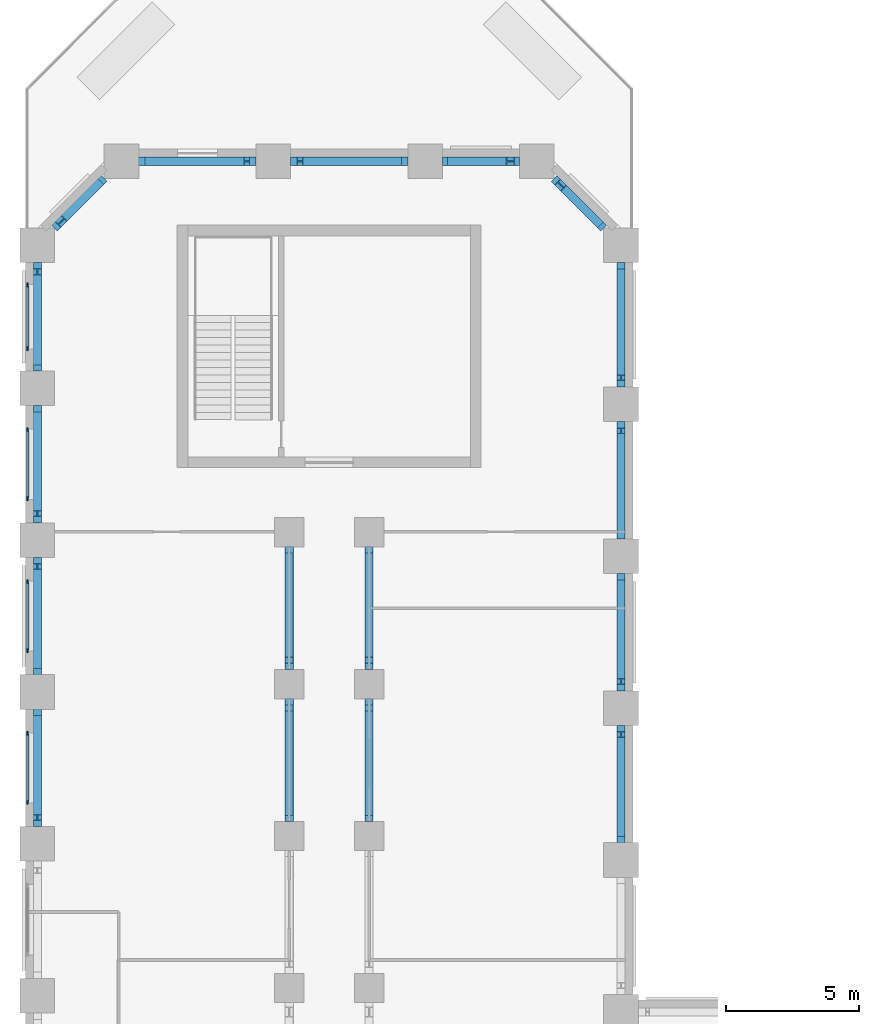
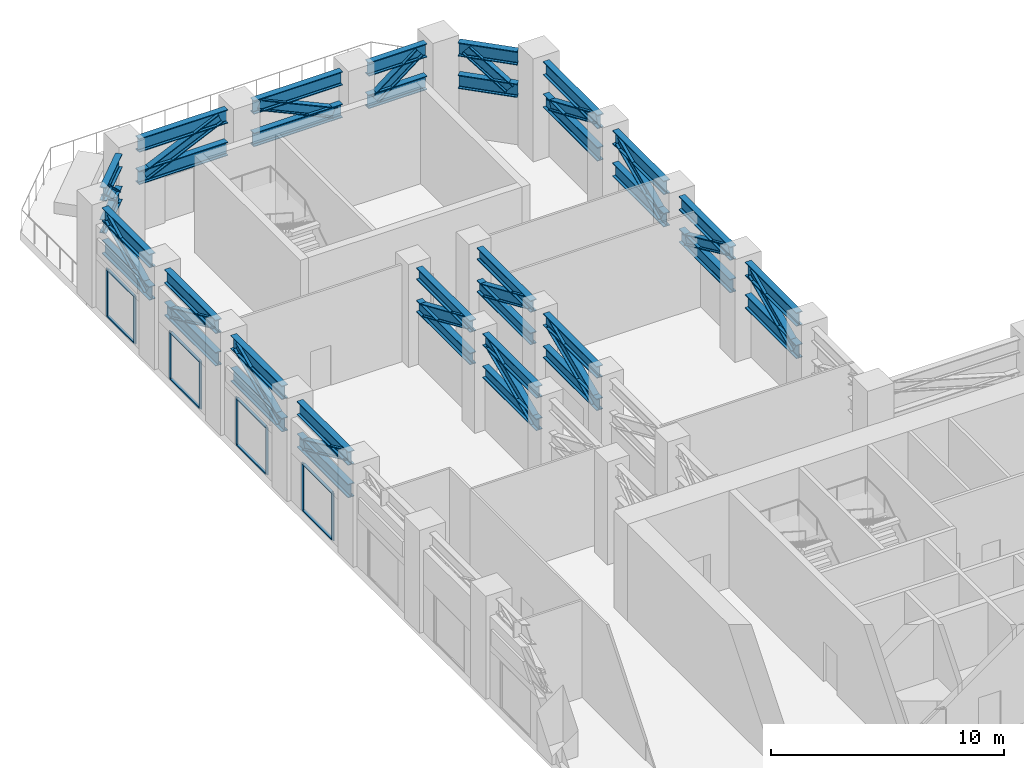
# One storey, part 9 of 21: 34 beams, 33 members, 4 elements without a shape of their own.
"""IFC4 building model written with IfcOpenShell, lengths in metres."""

from ifc_helpers import new_model, si_unit, direction, frame, origin, origin_2d, place, context, subcontext, project, spatial, rectangle, i_section, extrude, material, material_profile, profile_set, type_object, element, aggregate, save


model = new_model("IFC4")

# Units and contexts
model_context = context("Model", 3, precision=1e-05, world=origin(), true_north=direction((0.0, 1.0)))
body_context = subcontext(model_context, "Body", "Model", "MODEL_VIEW")
ifc_project = project(units=[si_unit("LENGTHUNIT", "METRE"), si_unit("AREAUNIT", "SQUARE_METRE"), si_unit("VOLUMEUNIT", "CUBIC_METRE"), si_unit("PLANEANGLEUNIT", "RADIAN"), si_unit("MASSUNIT", "GRAM", prefix="KILO")], contexts=[model_context])

# Site, building, storey
site_placement = place(None, origin())
site = spatial("IfcSite", under=ifc_project, at=site_placement, CompositionType="ELEMENT")
building_placement = place(site_placement, origin())
building = spatial("IfcBuilding", under=site, at=building_placement, Name="Meshkara Civic Tower", CompositionType="ELEMENT")
storey_placement = place(building_placement, frame((0.0, 0.0, 156.0)))
storey = spatial("IfcBuildingStorey", under=building, at=storey_placement, Name="L35", CompositionType="ELEMENT", Elevation=156.0)

# Beams
ifc_material_1 = material(Name="Steel S355", Category="steel")
ifc_material_profile_1 = material_profile(ifc_material_1, i_section(OverallWidth=0.303955078125, OverallDepth=0.716064453125, WebThickness=0.02099609375, FlangeThickness=0.0400390625, FilletRadius=0.027099609375, at=origin_2d()))
ifc_profile_set_1 = profile_set([ifc_material_profile_1], Name="Steel S355")
beam_type_1 = type_object("IfcBeamType", Name="Belt truss chord HEM 700 S355", PredefinedType="BEAM", material=ifc_profile_set_1)
for number, where, z_axis, x_axis, name in (
    (1, (22.35009765625, 45.794921875, 4.741943359375), (0.0, 1.0, 0.0), (-1.0, 0.0, 0.0), "Belt truss chord BAE01-AE02"),
    (2, (22.35009765625, 45.794921875, 3.0419921875), (0.0, 1.0, 0.0), (-1.0, 0.0, 0.0), "Belt truss chord BAE01-AE02"),
):
    element("IfcBeam", number, at=place(storey_placement, frame(where, z_axis=z_axis, x_axis=x_axis)), inside=storey, type_object=beam_type_1, Name=name, PredefinedType="BEAM", context=body_context, shape_type="SweptSolid", body=[
        extrude(i_section(OverallWidth=0.303955078125, OverallDepth=0.716064453125, WebThickness=0.02099609375, FlangeThickness=0.0400390625, FilletRadius=0.027099609375, at=origin_2d()), origin(), (0.0, 0.0, 1.0), 4.41015625),
    ])
for number, where, z_axis, x_axis, name in (
    (3, (22.35009765625, 51.4951171875, 4.741943359375), (0.0, 1.0, 0.0), (-1.0, 0.0, 0.0), "Belt truss chord BAE02-AE03"),
    (4, (22.35009765625, 51.4951171875, 3.0419921875), (0.0, 1.0, 0.0), (-1.0, 0.0, 0.0), "Belt truss chord BAE02-AE03"),
    (5, (22.35009765625, 57.195068359375, 4.741943359375), (0.0, 1.0, 0.0), (-1.0, 0.0, 0.0), "Belt truss chord BAE03-AE04"),
    (6, (22.35009765625, 57.195068359375, 3.0419921875), (0.0, 1.0, 0.0), (-1.0, 0.0, 0.0), "Belt truss chord BAE03-AE04"),
):
    element("IfcBeam", number, at=place(storey_placement, frame(where, z_axis=z_axis, x_axis=x_axis)), inside=storey, type_object=beam_type_1, Name=name, PredefinedType="BEAM", context=body_context, shape_type="SweptSolid", body=[
        extrude(i_section(OverallWidth=0.303955078125, OverallDepth=0.716064453125, WebThickness=0.02099609375, FlangeThickness=0.0400390625, FilletRadius=0.027099609375, at=origin_2d()), origin(), (0.0, 0.0, 1.0), 4.409912109375),
    ])
for number, where, z_axis, x_axis, name in (
    (7, (22.35009765625, 62.89501953125, 4.741943359375), (0.0, 1.0, 0.0), (-1.0, 0.0, 0.0), "Belt truss chord BAE04-AEEP2"),
    (8, (22.35009765625, 62.89501953125, 3.0419921875), (0.0, 1.0, 0.0), (-1.0, 0.0, 0.0), "Belt truss chord BAE04-AEEP2"),
):
    element("IfcBeam", number, at=place(storey_placement, frame(where, z_axis=z_axis, x_axis=x_axis)), inside=storey, type_object=beam_type_1, Name=name, PredefinedType="BEAM", context=body_context, shape_type="SweptSolid", body=[
        extrude(i_section(OverallWidth=0.303955078125, OverallDepth=0.716064453125, WebThickness=0.02099609375, FlangeThickness=0.0400390625, FilletRadius=0.027099609375, at=origin_2d()), origin(), (0.0, 0.0, 1.0), 4.674072265625),
    ])
for number, where, z_axis, x_axis, name in (
    (9, (21.70361328125, 68.860595703125, 4.741943359375), (-0.707153113905, 0.707060445432, 0.0), (-0.707060445432, -0.707153113905, 0.0), "Belt truss chord BAEEP2-ATiEP2"),
    (10, (21.70361328125, 68.860595703125, 3.0419921875), (-0.707153113905, 0.707060445432, 0.0), (-0.707060445432, -0.707153113905, 0.0), "Belt truss chord BAEEP2-ATiEP2"),
):
    element("IfcBeam", number, at=place(storey_placement, frame(where, z_axis=z_axis, x_axis=x_axis)), inside=storey, type_object=beam_type_1, Name=name, PredefinedType="BEAM", context=body_context, shape_type="SweptSolid", body=[
        extrude(i_section(OverallWidth=0.303955078125, OverallDepth=0.716064453125, WebThickness=0.02099609375, FlangeThickness=0.0400390625, FilletRadius=0.027099609375, at=origin_2d()), origin(), (0.0, 0.0, 1.0), 2.634521484375),
    ])
for number, where, z_axis, x_axis, name in (
    (11, (18.549072265625, 71.3701171875, 4.741943359375), (-1.0, 0.0, 0.0), (0.0, -1.0, 0.0), "Belt truss chord BATiEP2-AT02-P2"),
    (12, (18.549072265625, 71.3701171875, 3.0419921875), (-1.0, 0.0, 0.0), (0.0, -1.0, 0.0), "Belt truss chord BATiEP2-AT02-P2"),
):
    element("IfcBeam", number, at=place(storey_placement, frame(where, z_axis=z_axis, x_axis=x_axis)), inside=storey, type_object=beam_type_1, Name=name, PredefinedType="BEAM", context=body_context, shape_type="SweptSolid", body=[
        extrude(i_section(OverallWidth=0.303955078125, OverallDepth=0.716064453125, WebThickness=0.02099609375, FlangeThickness=0.0400390625, FilletRadius=0.027099609375, at=origin_2d()), origin(), (0.0, 0.0, 1.0), 2.898193359375),
    ])
for number, where, z_axis, x_axis, name in (
    (13, (14.361083984375, 71.3701171875, 4.741943359375), (-1.0, 0.0, 0.0), (0.0, -1.0, 0.0), "Belt truss chord BAT02-P2-AT01-P2"),
    (14, (14.361083984375, 71.3701171875, 3.0419921875), (-1.0, 0.0, 0.0), (0.0, -1.0, 0.0), "Belt truss chord BAT02-P2-AT01-P2"),
):
    element("IfcBeam", number, at=place(storey_placement, frame(where, z_axis=z_axis, x_axis=x_axis)), inside=storey, type_object=beam_type_1, Name=name, PredefinedType="BEAM", context=body_context, shape_type="SweptSolid", body=[
        extrude(i_section(OverallWidth=0.303955078125, OverallDepth=0.716064453125, WebThickness=0.02099609375, FlangeThickness=0.0400390625, FilletRadius=0.027099609375, at=origin_2d()), origin(), (0.0, 0.0, 1.0), 4.41015625),
    ])
for number, where, z_axis, x_axis, name in (
    (15, (8.660888671875, 71.3701171875, 4.741943359375), (-1.0, 0.0, 0.0), (0.0, -1.0, 0.0), "Belt truss chord BAT01-P2-AT00-P2"),
    (16, (8.660888671875, 71.3701171875, 3.0419921875), (-1.0, 0.0, 0.0), (0.0, -1.0, 0.0), "Belt truss chord BAT01-P2-AT00-P2"),
):
    element("IfcBeam", number, at=place(storey_placement, frame(where, z_axis=z_axis, x_axis=x_axis)), inside=storey, type_object=beam_type_1, Name=name, PredefinedType="BEAM", context=body_context, shape_type="SweptSolid", body=[
        extrude(i_section(OverallWidth=0.303955078125, OverallDepth=0.716064453125, WebThickness=0.02099609375, FlangeThickness=0.0400390625, FilletRadius=0.027099609375, at=origin_2d()), origin(), (0.0, 0.0, 1.0), 4.409912109375),
    ])
for number, where, z_axis, x_axis, name in (
    (17, (2.95947265625, 70.723388671875, 4.741943359375), (-0.707153113905, -0.707060445432, 0.0), (0.707060445432, -0.707153113905, 0.0), "Belt truss chord BAT00-P2-ATo00-P2"),
    (18, (2.95947265625, 70.723388671875, 3.0419921875), (-0.707153113905, -0.707060445432, 0.0), (0.707060445432, -0.707153113905, 0.0), "Belt truss chord BAT00-P2-ATo00-P2"),
):
    element("IfcBeam", number, at=place(storey_placement, frame(where, z_axis=z_axis, x_axis=x_axis)), inside=storey, type_object=beam_type_1, Name=name, PredefinedType="BEAM", context=body_context, shape_type="SweptSolid", body=[
        extrude(i_section(OverallWidth=0.303955078125, OverallDepth=0.716064453125, WebThickness=0.02099609375, FlangeThickness=0.0400390625, FilletRadius=0.027099609375, at=origin_2d()), origin(), (0.0, 0.0, 1.0), 2.634521484375),
    ])
for number, where, z_axis, x_axis, name in (
    (19, (0.449951171875, 67.569091796875, 4.741943359375), (0.0, -1.0, 0.0), (1.0, 0.0, 0.0), "Belt truss chord BATo00-P2-AW08"),
    (20, (0.449951171875, 67.569091796875, 3.0419921875), (0.0, -1.0, 0.0), (1.0, 0.0, 0.0), "Belt truss chord BATo00-P2-AW08"),
):
    element("IfcBeam", number, at=place(storey_placement, frame(where, z_axis=z_axis, x_axis=x_axis)), inside=storey, type_object=beam_type_1, Name=name, PredefinedType="BEAM", context=body_context, shape_type="SweptSolid", body=[
        extrude(i_section(OverallWidth=0.303955078125, OverallDepth=0.716064453125, WebThickness=0.02099609375, FlangeThickness=0.0400390625, FilletRadius=0.027099609375, at=origin_2d()), origin(), (0.0, 0.0, 1.0), 4.069091796875),
    ])
for number, where, z_axis, x_axis, name in (
    (21, (0.449951171875, 62.2099609375, 4.741943359375), (0.0, -1.0, 0.0), (1.0, 0.0, 0.0), "Belt truss chord BAW08-AW07"),
    (22, (0.449951171875, 62.2099609375, 3.0419921875), (0.0, -1.0, 0.0), (1.0, 0.0, 0.0), "Belt truss chord BAW08-AW07"),
    (23, (0.449951171875, 56.510009765625, 4.741943359375), (0.0, -1.0, 0.0), (1.0, 0.0, 0.0), "Belt truss chord BAW07-AW06"),
    (24, (0.449951171875, 56.510009765625, 3.0419921875), (0.0, -1.0, 0.0), (1.0, 0.0, 0.0), "Belt truss chord BAW07-AW06"),
):
    element("IfcBeam", number, at=place(storey_placement, frame(where, z_axis=z_axis, x_axis=x_axis)), inside=storey, type_object=beam_type_1, Name=name, PredefinedType="BEAM", context=body_context, shape_type="SweptSolid", body=[
        extrude(i_section(OverallWidth=0.303955078125, OverallDepth=0.716064453125, WebThickness=0.02099609375, FlangeThickness=0.0400390625, FilletRadius=0.027099609375, at=origin_2d()), origin(), (0.0, 0.0, 1.0), 4.409912109375),
    ])
for number, where, z_axis, x_axis, name in (
    (25, (0.449951171875, 50.81005859375, 4.741943359375), (0.0, -1.0, 0.0), (1.0, 0.0, 0.0), "Belt truss chord BAW06-AW05"),
    (26, (0.449951171875, 50.81005859375, 3.0419921875), (0.0, -1.0, 0.0), (1.0, 0.0, 0.0), "Belt truss chord BAW06-AW05"),
):
    element("IfcBeam", number, at=place(storey_placement, frame(where, z_axis=z_axis, x_axis=x_axis)), inside=storey, type_object=beam_type_1, Name=name, PredefinedType="BEAM", context=body_context, shape_type="SweptSolid", body=[
        extrude(i_section(OverallWidth=0.303955078125, OverallDepth=0.716064453125, WebThickness=0.02099609375, FlangeThickness=0.0400390625, FilletRadius=0.027099609375, at=origin_2d()), origin(), (0.0, 0.0, 1.0), 4.41015625),
    ])

# Curtain wall, members
ifc_material_2 = material(Name="Tinted double glazing", Category="glass")
curtain_wall_type = type_object("IfcCurtainWallType", Name="CW SKY LOBBY BAND", PredefinedType="NOTDEFINED", material=ifc_material_2)
curtain_wall_1_placement = place(storey_placement, origin())
curtain_wall_1 = element("IfcCurtainWall", 27, at=curtain_wall_1_placement, inside=storey, type_object=curtain_wall_type, Name="Curtain wall CW2", PredefinedType="NOTDEFINED")
ifc_material_3 = material(Name="Bronze anodised aluminium", Category="aluminium")
ifc_material_profile_2 = material_profile(ifc_material_3, rectangle(XDim=0.06005859375, YDim=0.159912109375, at=origin_2d()))
ifc_profile_set_2 = profile_set([ifc_material_profile_2], Name="Bronze anodised aluminium")
member_type_1 = type_object("IfcMemberType", Name="CW MULLION 60x160", PredefinedType="MULLION", material=ifc_profile_set_2)
member_1_placement = place(storey_placement, frame((0.080078125, 66.721923828125, 0.0), z_axis=(0.0, 0.0, 1.0), x_axis=(1.0, 0.0, 0.0)))
member_1 = element("IfcMember", 28, at=member_1_placement, type_object=member_type_1, Name="CW2 mullion 1", PredefinedType="MULLION", context=body_context, shape_type="SweptSolid", body=[
    extrude(rectangle(XDim=0.06005859375, YDim=0.159912109375, at=origin_2d()), origin(), (0.0, 0.0, 1.0), 2.5),
])
member_2_placement = place(storey_placement, frame((0.080078125, 64.346923828125, 0.0), z_axis=(0.0, 0.0, 1.0), x_axis=(1.0, 0.0, 0.0)))
member_2 = element("IfcMember", 29, at=member_2_placement, type_object=member_type_1, Name="CW2 mullion 2", PredefinedType="MULLION", context=body_context, shape_type="SweptSolid", body=[
    extrude(rectangle(XDim=0.06005859375, YDim=0.159912109375, at=origin_2d()), origin(), (0.0, 0.0, 1.0), 2.5),
])

curtain_wall_2_placement = place(storey_placement, origin())
curtain_wall_2 = element("IfcCurtainWall", 30, at=curtain_wall_2_placement, inside=storey, type_object=curtain_wall_type, Name="Curtain wall CW2", PredefinedType="NOTDEFINED")
member_3_placement = place(storey_placement, frame((0.080078125, 61.294921875, 0.0), z_axis=(0.0, 0.0, 1.0), x_axis=(1.0, 0.0, 0.0)))
member_3 = element("IfcMember", 31, at=member_3_placement, type_object=member_type_1, Name="CW2 mullion 1", PredefinedType="MULLION", context=body_context, shape_type="SweptSolid", body=[
    extrude(rectangle(XDim=0.06005859375, YDim=0.159912109375, at=origin_2d()), origin(), (0.0, 0.0, 1.0), 2.5),
])
member_4_placement = place(storey_placement, frame((0.080078125, 58.715087890625, 0.0), z_axis=(0.0, 0.0, 1.0), x_axis=(1.0, 0.0, 0.0)))
member_4 = element("IfcMember", 32, at=member_4_placement, type_object=member_type_1, Name="CW2 mullion 2", PredefinedType="MULLION", context=body_context, shape_type="SweptSolid", body=[
    extrude(rectangle(XDim=0.06005859375, YDim=0.159912109375, at=origin_2d()), origin(), (0.0, 0.0, 1.0), 2.5),
])

curtain_wall_3_placement = place(storey_placement, origin())
curtain_wall_3 = element("IfcCurtainWall", 33, at=curtain_wall_3_placement, inside=storey, type_object=curtain_wall_type, Name="Curtain wall CW2", PredefinedType="NOTDEFINED")
member_5_placement = place(storey_placement, frame((0.080078125, 55.593994140625, 0.0), z_axis=(0.0, 0.0, 1.0), x_axis=(1.0, 0.0, 0.0)))
member_5 = element("IfcMember", 34, at=member_5_placement, type_object=member_type_1, Name="CW2 mullion 1", PredefinedType="MULLION", context=body_context, shape_type="SweptSolid", body=[
    extrude(rectangle(XDim=0.06005859375, YDim=0.159912109375, at=origin_2d()), origin(), (0.0, 0.0, 1.0), 2.5),
])
member_6_placement = place(storey_placement, frame((0.080078125, 53.014892578125, 0.0), z_axis=(0.0, 0.0, 1.0), x_axis=(1.0, 0.0, 0.0)))
member_6 = element("IfcMember", 35, at=member_6_placement, type_object=member_type_1, Name="CW2 mullion 2", PredefinedType="MULLION", context=body_context, shape_type="SweptSolid", body=[
    extrude(rectangle(XDim=0.06005859375, YDim=0.159912109375, at=origin_2d()), origin(), (0.0, 0.0, 1.0), 2.5),
])

curtain_wall_4_placement = place(storey_placement, origin())
curtain_wall_4 = element("IfcCurtainWall", 36, at=curtain_wall_4_placement, inside=storey, type_object=curtain_wall_type, Name="Curtain wall CW2", PredefinedType="NOTDEFINED")
member_7_placement = place(storey_placement, frame((0.080078125, 49.89501953125, 0.0), z_axis=(0.0, 0.0, 1.0), x_axis=(1.0, 0.0, 0.0)))
member_7 = element("IfcMember", 37, at=member_7_placement, type_object=member_type_1, Name="CW2 mullion 1", PredefinedType="MULLION", context=body_context, shape_type="SweptSolid", body=[
    extrude(rectangle(XDim=0.06005859375, YDim=0.159912109375, at=origin_2d()), origin(), (0.0, 0.0, 1.0), 2.5),
])
member_8_placement = place(storey_placement, frame((0.080078125, 47.31494140625, 0.0), z_axis=(0.0, 0.0, 1.0), x_axis=(1.0, 0.0, 0.0)))
member_8 = element("IfcMember", 38, at=member_8_placement, type_object=member_type_1, Name="CW2 mullion 2", PredefinedType="MULLION", context=body_context, shape_type="SweptSolid", body=[
    extrude(rectangle(XDim=0.06005859375, YDim=0.159912109375, at=origin_2d()), origin(), (0.0, 0.0, 1.0), 2.5),
])

# Member
ifc_material_4 = material(Name="Bronze anodised aluminium", Category="aluminium")
ifc_material_profile_3 = material_profile(ifc_material_4, rectangle(XDim=0.1201171875, YDim=0.06005859375, at=origin_2d()))
ifc_profile_set_3 = profile_set([ifc_material_profile_3], Name="Bronze anodised aluminium")
member_type_2 = type_object("IfcMemberType", Name="CW TRANSOM 60x120", PredefinedType="USERDEFINED", material=ifc_profile_set_3)
member_9_placement = place(storey_placement, frame((0.080078125, 66.69189453125, 0.030029296875), z_axis=(0.0, -1.0, 0.0), x_axis=(1.0, 0.0, 0.0)))
member_9 = element("IfcMember", 39, at=member_9_placement, type_object=member_type_2, Name="CW2 transom 1.1", ObjectType="TRANSOM", PredefinedType="USERDEFINED", context=body_context, shape_type="SweptSolid", body=[
    extrude(rectangle(XDim=0.1201171875, YDim=0.06005859375, at=origin_2d()), origin(), (0.0, 0.0, 1.0), 2.31494140625),
])

member_10_placement = place(storey_placement, frame((0.080078125, 66.69189453125, 2.469970703125), z_axis=(0.0, -1.0, 0.0), x_axis=(1.0, 0.0, 0.0)))
member_10 = element("IfcMember", 40, at=member_10_placement, type_object=member_type_2, Name="CW2 transom 1.2", ObjectType="TRANSOM", PredefinedType="USERDEFINED", context=body_context, shape_type="SweptSolid", body=[
    extrude(rectangle(XDim=0.1201171875, YDim=0.06005859375, at=origin_2d()), origin(), (0.0, 0.0, 1.0), 2.31494140625),
])

aggregate(curtain_wall_1, [member_1, member_2, member_9, member_10])

member_11_placement = place(storey_placement, frame((0.080078125, 61.264892578125, 0.030029296875), z_axis=(0.0, -1.0, 0.0), x_axis=(1.0, 0.0, 0.0)))
member_11 = element("IfcMember", 41, at=member_11_placement, type_object=member_type_2, Name="CW2 transom 1.1", ObjectType="TRANSOM", PredefinedType="USERDEFINED", context=body_context, shape_type="SweptSolid", body=[
    extrude(rectangle(XDim=0.1201171875, YDim=0.06005859375, at=origin_2d()), origin(), (0.0, 0.0, 1.0), 2.519775390625),
])

member_12_placement = place(storey_placement, frame((0.080078125, 61.264892578125, 2.469970703125), z_axis=(0.0, -1.0, 0.0), x_axis=(1.0, 0.0, 0.0)))
member_12 = element("IfcMember", 42, at=member_12_placement, type_object=member_type_2, Name="CW2 transom 1.2", ObjectType="TRANSOM", PredefinedType="USERDEFINED", context=body_context, shape_type="SweptSolid", body=[
    extrude(rectangle(XDim=0.1201171875, YDim=0.06005859375, at=origin_2d()), origin(), (0.0, 0.0, 1.0), 2.519775390625),
])

aggregate(curtain_wall_2, [member_3, member_4, member_11, member_12])

member_13_placement = place(storey_placement, frame((0.080078125, 55.56396484375, 0.030029296875), z_axis=(0.0, -1.0, 0.0), x_axis=(1.0, 0.0, 0.0)))
member_13 = element("IfcMember", 43, at=member_13_placement, type_object=member_type_2, Name="CW2 transom 1.1", ObjectType="TRANSOM", PredefinedType="USERDEFINED", context=body_context, shape_type="SweptSolid", body=[
    extrude(rectangle(XDim=0.1201171875, YDim=0.06005859375, at=origin_2d()), origin(), (0.0, 0.0, 1.0), 2.51904296875),
])

member_14_placement = place(storey_placement, frame((0.080078125, 55.56396484375, 2.469970703125), z_axis=(0.0, -1.0, 0.0), x_axis=(1.0, 0.0, 0.0)))
member_14 = element("IfcMember", 44, at=member_14_placement, type_object=member_type_2, Name="CW2 transom 1.2", ObjectType="TRANSOM", PredefinedType="USERDEFINED", context=body_context, shape_type="SweptSolid", body=[
    extrude(rectangle(XDim=0.1201171875, YDim=0.06005859375, at=origin_2d()), origin(), (0.0, 0.0, 1.0), 2.51904296875),
])

aggregate(curtain_wall_3, [member_5, member_6, member_13, member_14])

member_15_placement = place(storey_placement, frame((0.080078125, 49.864990234375, 0.030029296875), z_axis=(0.0, -1.0, 0.0), x_axis=(1.0, 0.0, 0.0)))
member_15 = element("IfcMember", 45, at=member_15_placement, type_object=member_type_2, Name="CW2 transom 1.1", ObjectType="TRANSOM", PredefinedType="USERDEFINED", context=body_context, shape_type="SweptSolid", body=[
    extrude(rectangle(XDim=0.1201171875, YDim=0.06005859375, at=origin_2d()), origin(), (0.0, 0.0, 1.0), 2.52001953125),
])

member_16_placement = place(storey_placement, frame((0.080078125, 49.864990234375, 2.469970703125), z_axis=(0.0, -1.0, 0.0), x_axis=(1.0, 0.0, 0.0)))
member_16 = element("IfcMember", 46, at=member_16_placement, type_object=member_type_2, Name="CW2 transom 1.2", ObjectType="TRANSOM", PredefinedType="USERDEFINED", context=body_context, shape_type="SweptSolid", body=[
    extrude(rectangle(XDim=0.1201171875, YDim=0.06005859375, at=origin_2d()), origin(), (0.0, 0.0, 1.0), 2.52001953125),
])

aggregate(curtain_wall_4, [member_7, member_8, member_15, member_16])

# Beams
ifc_material_5 = material(Name="Steel S355", Category="steel")
ifc_material_profile_4 = material_profile(ifc_material_5, i_section(OverallWidth=0.304931640625, OverallDepth=0.6201171875, WebThickness=0.02099609375, FlangeThickness=0.0400390625, FilletRadius=0.027099609375, at=origin_2d()))
ifc_profile_set_4 = profile_set([ifc_material_profile_4], Name="Steel S355")
beam_type_2 = type_object("IfcBeamType", Name="Outrigger chord HEM 600 S355", PredefinedType="BEAM", material=ifc_profile_set_4)
for number, where, z_axis, x_axis, name in (
    (47, (9.89990234375, 46.594970703125, 4.7900390625), (0.0, 1.0, 0.0), (-1.0, 0.0, 0.0), "Outrigger chord OSA1-SA1-05-SA1-06"),
    (48, (9.89990234375, 46.594970703125, 3.090087890625), (0.0, 1.0, 0.0), (-1.0, 0.0, 0.0), "Outrigger chord OSA1-SA1-05-SA1-06"),
    (49, (9.89990234375, 52.294921875, 4.7900390625), (0.0, 1.0, 0.0), (-1.0, 0.0, 0.0), "Outrigger chord OSA1-SA1-06-SA1-07"),
    (50, (9.89990234375, 52.294921875, 3.090087890625), (0.0, 1.0, 0.0), (-1.0, 0.0, 0.0), "Outrigger chord OSA1-SA1-06-SA1-07"),
    (51, (12.89990234375, 46.594970703125, 4.7900390625), (0.0, 1.0, 0.0), (-1.0, 0.0, 0.0), "Outrigger chord OSA2-SA2-05-SA2-06"),
    (52, (12.89990234375, 46.594970703125, 3.090087890625), (0.0, 1.0, 0.0), (-1.0, 0.0, 0.0), "Outrigger chord OSA2-SA2-05-SA2-06"),
    (53, (12.89990234375, 52.294921875, 4.7900390625), (0.0, 1.0, 0.0), (-1.0, 0.0, 0.0), "Outrigger chord OSA2-SA2-06-SA2-07"),
    (54, (12.89990234375, 52.294921875, 3.090087890625), (0.0, 1.0, 0.0), (-1.0, 0.0, 0.0), "Outrigger chord OSA2-SA2-06-SA2-07"),
):
    element("IfcBeam", number, at=place(storey_placement, frame(where, z_axis=z_axis, x_axis=x_axis)), inside=storey, type_object=beam_type_2, Name=name, PredefinedType="BEAM", context=body_context, shape_type="SweptSolid", body=[
        extrude(i_section(OverallWidth=0.304931640625, OverallDepth=0.6201171875, WebThickness=0.02099609375, FlangeThickness=0.0400390625, FilletRadius=0.027099609375, at=origin_2d()), origin(), (0.0, 0.0, 1.0), 4.610107421875),
    ])

# Members
ifc_material_6 = material(Name="Steel S355", Category="steel")
ifc_material_profile_5 = material_profile(ifc_material_6, i_section(OverallWidth=0.300048828125, OverallDepth=0.60009765625, WebThickness=0.015380859375, FlangeThickness=0.030029296875, FilletRadius=0.027099609375, at=origin_2d()))
ifc_profile_set_5 = profile_set([ifc_material_profile_5], Name="Steel S355")
member_type_3 = type_object("IfcMemberType", Name="Truss diagonal HEB 600 S355", PredefinedType="BRACE", material=ifc_profile_set_5)
for number, where, z_axis, x_axis, name in (
    (55, (9.89990234375, 46.945068359375, 3.090087890625), (0.0, 0.917070966636, 0.398724017527), (-1.0, 0.0, 0.0), "TD-OSA1-SA1-05-SA1-06-L35"),
    (56, (9.89990234375, 52.64501953125, 4.7900390625), (0.0, 0.917070966636, -0.398724017527), (-1.0, 0.0, 0.0), "TD-OSA1-SA1-06-SA1-07-L35"),
    (57, (12.89990234375, 46.945068359375, 3.090087890625), (0.0, 0.917070966636, 0.398724017527), (-1.0, 0.0, 0.0), "TD-OSA2-SA2-05-SA2-06-L35"),
    (58, (12.89990234375, 52.64501953125, 4.7900390625), (0.0, 0.917070966636, -0.398724017527), (-1.0, 0.0, 0.0), "TD-OSA2-SA2-06-SA2-07-L35"),
):
    element("IfcMember", number, at=place(storey_placement, frame(where, z_axis=z_axis, x_axis=x_axis)), inside=storey, type_object=member_type_3, Name=name, PredefinedType="BRACE", context=body_context, shape_type="SweptSolid", body=[
        extrude(i_section(OverallWidth=0.300048828125, OverallDepth=0.60009765625, WebThickness=0.015380859375, FlangeThickness=0.030029296875, FilletRadius=0.027099609375, at=origin_2d()), origin(), (0.0, 0.0, 1.0), 4.263427734375),
    ])
ifc_material_7 = material(Name="Steel S355", Category="steel")
ifc_material_profile_6 = material_profile(ifc_material_7, i_section(OverallWidth=0.305908203125, OverallDepth=0.52392578125, WebThickness=0.02392578125, FlangeThickness=0.0400390625, FilletRadius=0.027099609375, at=origin_2d()))
ifc_profile_set_6 = profile_set([ifc_material_profile_6], Name="Steel S355")
member_type_4 = type_object("IfcMemberType", Name="Truss diagonal HEM 500 S355", PredefinedType="BRACE", material=ifc_profile_set_6)
for number, where, z_axis, x_axis, name in (
    (59, (22.35009765625, 46.14501953125, 3.0419921875), (0.0, 0.909106361389, 0.41656406912), (-1.0, 0.0, 0.0), "TD-BAE01-AE02-L35"),
    (60, (22.35009765625, 51.844970703125, 4.741943359375), (0.0, 0.909106361389, -0.41656406912), (-1.0, 0.0, 0.0), "TD-BAE02-AE03-L35"),
    (61, (22.35009765625, 57.544921875, 3.0419921875), (0.0, 0.909106361389, 0.41656406912), (-1.0, 0.0, 0.0), "TD-BAE03-AE04-L35"),
):
    element("IfcMember", number, at=place(storey_placement, frame(where, z_axis=z_axis, x_axis=x_axis)), inside=storey, type_object=member_type_4, Name=name, PredefinedType="BRACE", context=body_context, shape_type="SweptSolid", body=[
        extrude(i_section(OverallWidth=0.305908203125, OverallDepth=0.52392578125, WebThickness=0.02392578125, FlangeThickness=0.0400390625, FilletRadius=0.027099609375, at=origin_2d()), origin(), (0.0, 0.0, 1.0), 4.080810546875),
    ])
member_17_placement = place(storey_placement, frame((22.35009765625, 63.2451171875, 4.741943359375), z_axis=(0.0, 0.919407773064, -0.3933056659), x_axis=(-1.0, 0.0, 0.0)))
element("IfcMember", 62, at=member_17_placement, inside=storey, type_object=member_type_4, Name="TD-BAE04-AEEP2-L35", PredefinedType="BRACE", context=body_context, shape_type="SweptSolid", body=[
    extrude(i_section(OverallWidth=0.305908203125, OverallDepth=0.52392578125, WebThickness=0.02392578125, FlangeThickness=0.0400390625, FilletRadius=0.027099609375, at=origin_2d()), origin(), (0.0, 0.0, 1.0), 4.322265625),
])
member_18_placement = place(storey_placement, frame((21.4560546875, 69.10791015625, 3.0419921875), z_axis=(-0.531207502292, 0.531207502292, 0.660028165321), x_axis=(-0.707106781187, -0.707106781187, 0.0)))
element("IfcMember", 63, at=member_18_placement, inside=storey, type_object=member_type_4, Name="TD-BAEEP2-ATiEP2-L35", PredefinedType="BRACE", context=body_context, shape_type="SweptSolid", body=[
    extrude(i_section(OverallWidth=0.305908203125, OverallDepth=0.52392578125, WebThickness=0.02392578125, FlangeThickness=0.0400390625, FilletRadius=0.027099609375, at=origin_2d()), origin(), (0.0, 0.0, 1.0), 2.57568359375),
])
member_19_placement = place(storey_placement, frame((18.198974609375, 71.3701171875, 4.741943359375), z_axis=(-0.79102407049, 0.0, -0.611785027527), x_axis=(0.0, -1.0, 0.0)))
element("IfcMember", 64, at=member_19_placement, inside=storey, type_object=member_type_4, Name="TD-BATiEP2-AT02-P2-L35", PredefinedType="BRACE", context=body_context, shape_type="SweptSolid", body=[
    extrude(i_section(OverallWidth=0.305908203125, OverallDepth=0.52392578125, WebThickness=0.02392578125, FlangeThickness=0.0400390625, FilletRadius=0.027099609375, at=origin_2d()), origin(), (0.0, 0.0, 1.0), 2.778564453125),
])
for number, where, z_axis, x_axis, name in (
    (65, (14.010986328125, 71.3701171875, 3.0419921875), (-0.909106361389, 0.0, 0.41656406912), (0.0, -1.0, 0.0), "TD-BAT02-P2-AT01-P2-L35"),
    (66, (8.31103515625, 71.3701171875, 4.741943359375), (-0.909106361389, 0.0, -0.41656406912), (0.0, -1.0, 0.0), "TD-BAT01-P2-AT00-P2-L35"),
):
    element("IfcMember", number, at=place(storey_placement, frame(where, z_axis=z_axis, x_axis=x_axis)), inside=storey, type_object=member_type_4, Name=name, PredefinedType="BRACE", context=body_context, shape_type="SweptSolid", body=[
        extrude(i_section(OverallWidth=0.305908203125, OverallDepth=0.52392578125, WebThickness=0.02392578125, FlangeThickness=0.0400390625, FilletRadius=0.027099609375, at=origin_2d()), origin(), (0.0, 0.0, 1.0), 4.080810546875),
    ])
member_20_placement = place(storey_placement, frame((2.7119140625, 70.47607421875, 3.0419921875), z_axis=(-0.531139454572, -0.53123425012, 0.660061399641), x_axis=(0.707169873471, -0.707043683272, 0.0)))
element("IfcMember", 67, at=member_20_placement, inside=storey, type_object=member_type_4, Name="TD-BAT00-P2-ATo00-P2-L35", PredefinedType="BRACE", context=body_context, shape_type="SweptSolid", body=[
    extrude(i_section(OverallWidth=0.305908203125, OverallDepth=0.52392578125, WebThickness=0.02392578125, FlangeThickness=0.0400390625, FilletRadius=0.027099609375, at=origin_2d()), origin(), (0.0, 0.0, 1.0), 2.575439453125),
])
member_21_placement = place(storey_placement, frame((0.449951171875, 67.218994140625, 4.741943359375), z_axis=(0.0, -0.892777804477, -0.450497271728), x_axis=(1.0, 0.0, 0.0)))
element("IfcMember", 68, at=member_21_placement, inside=storey, type_object=member_type_4, Name="TD-BATo00-P2-AW08-L35", PredefinedType="BRACE", context=body_context, shape_type="SweptSolid", body=[
    extrude(i_section(OverallWidth=0.305908203125, OverallDepth=0.52392578125, WebThickness=0.02392578125, FlangeThickness=0.0400390625, FilletRadius=0.027099609375, at=origin_2d()), origin(), (0.0, 0.0, 1.0), 3.7734375),
])
member_22_placement = place(storey_placement, frame((0.449951171875, 61.860107421875, 3.0419921875), z_axis=(0.0, -0.909116741777, 0.416541414292), x_axis=(1.0, 0.0, 0.0)))
element("IfcMember", 69, at=member_22_placement, inside=storey, type_object=member_type_4, Name="TD-BAW08-AW07-L35", PredefinedType="BRACE", context=body_context, shape_type="SweptSolid", body=[
    extrude(i_section(OverallWidth=0.305908203125, OverallDepth=0.52392578125, WebThickness=0.02392578125, FlangeThickness=0.0400390625, FilletRadius=0.027099609375, at=origin_2d()), origin(), (0.0, 0.0, 1.0), 4.0810546875),
])
for number, where, z_axis, x_axis, name in (
    (70, (0.449951171875, 56.159912109375, 4.741943359375), (0.0, -0.909106361389, -0.41656406912), (1.0, 0.0, 0.0), "TD-BAW07-AW06-L35"),
    (71, (0.449951171875, 50.4599609375, 3.0419921875), (0.0, -0.909106361389, 0.41656406912), (1.0, 0.0, 0.0), "TD-BAW06-AW05-L35"),
):
    element("IfcMember", number, at=place(storey_placement, frame(where, z_axis=z_axis, x_axis=x_axis)), inside=storey, type_object=member_type_4, Name=name, PredefinedType="BRACE", context=body_context, shape_type="SweptSolid", body=[
        extrude(i_section(OverallWidth=0.305908203125, OverallDepth=0.52392578125, WebThickness=0.02392578125, FlangeThickness=0.0400390625, FilletRadius=0.027099609375, at=origin_2d()), origin(), (0.0, 0.0, 1.0), 4.080810546875),
    ])

save(model, "model.ifc")
